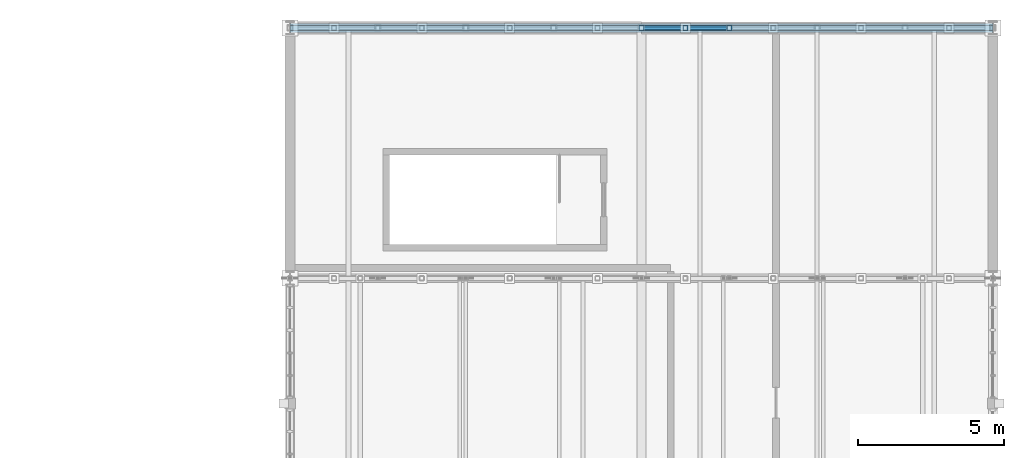
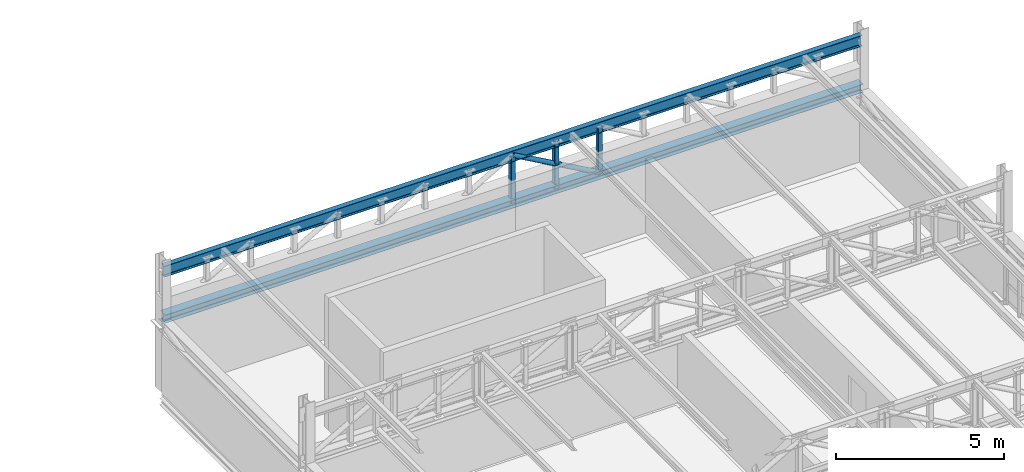
# One storey, part 57 of 128: 6 members.
"""IFC4 building model written with IfcOpenShell, lengths in metres."""

from ifc_helpers import new_model, si_unit, direction, frame, origin, origin_2d, place, context, subcontext, project, spatial, hollow_rectangle, hollow_circle, i_section, extrude, material, material_profile, profile_set, type_object, element, save


model = new_model("IFC4")

# Units and contexts
model_context = context("Model", 3, precision=1e-05, world=origin(), true_north=direction((0.0, 1.0)))
body_context = subcontext(model_context, "Body", "Model", "MODEL_VIEW")
ifc_project = project(units=[si_unit("LENGTHUNIT", "METRE"), si_unit("AREAUNIT", "SQUARE_METRE"), si_unit("VOLUMEUNIT", "CUBIC_METRE"), si_unit("PLANEANGLEUNIT", "RADIAN"), si_unit("MASSUNIT", "GRAM", prefix="KILO")], contexts=[model_context])

# Site, building, storey
site_placement = place(None, origin())
site = spatial("IfcSite", under=ifc_project, at=site_placement, CompositionType="ELEMENT")
building_placement = place(site_placement, origin())
building = spatial("IfcBuilding", under=site, at=building_placement, Name="Serraforn Aerial Cableway Station", CompositionType="ELEMENT")
storey_placement = place(building_placement, frame((0.0, 0.0, 9.0)))
storey = spatial("IfcBuildingStorey", under=building, at=storey_placement, Name="L02", CompositionType="ELEMENT", Elevation=9.0)

# Members
ifc_material = material(Name="Steel S355J2", Category="steel")
ifc_material_profile_1 = material_profile(ifc_material, i_section(OverallWidth=0.300048828125, OverallDepth=0.300048828125, WebThickness=0.008544921875, FlangeThickness=0.013916015625, FilletRadius=0.027099609375, at=origin_2d()), Name="HEA 300")
ifc_profile_set_1 = profile_set([ifc_material_profile_1], Name="Steel S355J2")
member_type_1 = type_object("IfcMemberType", Name="MEM-BC-HEA300", PredefinedType="CHORD", material=ifc_profile_set_1)
member_1_placement = place(storey_placement, frame((144.0, 114.0, 2.60009765625), z_axis=(1.0, 0.0, 0.0), x_axis=(0.0, 1.0, 0.0)))
element("IfcMember", 1, at=member_1_placement, inside=storey, type_object=member_type_1, Name="Garage Truss GT-12 Bottom Chord", PredefinedType="CHORD", context=body_context, shape_type="SweptSolid", body=[
    extrude(i_section(OverallWidth=0.300048828125, OverallDepth=0.300048828125, WebThickness=0.008544921875, FlangeThickness=0.013916015625, FilletRadius=0.027099609375, at=origin_2d()), origin(), (0.0, 0.0, 1.0), 24.0),
])
ifc_material_profile_2 = material_profile(ifc_material, hollow_circle(Radius=0.084228515625, WallThickness=0.008056640625, at=origin_2d()), Name="CHS 168.3x8.0")
ifc_profile_set_2 = profile_set([ifc_material_profile_2], Name="Steel S355J2")
member_type_2 = type_object("IfcMemberType", Name="MEM-DG-CHS168", PredefinedType="BRACE", material=ifc_profile_set_2)
member_2_placement = place(storey_placement, frame((156.0, 114.0, 4.2900390625), z_axis=(0.871272396707, 0.0, -0.490799766439), x_axis=(0.0, 1.0, 0.0)))
element("IfcMember", 2, at=member_2_placement, inside=storey, type_object=member_type_2, Name="Garage Truss GT-12 Diagonal 5", PredefinedType="BRACE", context=body_context, shape_type="SweptSolid", body=[
    extrude(hollow_circle(Radius=0.084228515625, WallThickness=0.008056640625, at=origin_2d()), origin(), (0.0, 0.0, 1.0), 3.443359375),
])
ifc_material_profile_3 = material_profile(ifc_material, i_section(OverallWidth=0.179931640625, OverallDepth=0.39990234375, WebThickness=0.008544921875, FlangeThickness=0.013427734375, FilletRadius=0.02099609375, at=origin_2d()), Name="IPE 400")
ifc_profile_set_3 = profile_set([ifc_material_profile_3], Name="Steel S355J2")
member_type_3 = type_object("IfcMemberType", Name="MEM-TC-IPE400", PredefinedType="CHORD", material=ifc_profile_set_3)
member_3_placement = place(storey_placement, frame((144.0, 114.0, 4.2900390625), z_axis=(1.0, 0.0, 0.0), x_axis=(0.0, 1.0, 0.0)))
element("IfcMember", 3, at=member_3_placement, inside=storey, type_object=member_type_3, Name="Garage Truss GT-12 Top Chord", PredefinedType="CHORD", context=body_context, shape_type="SweptSolid", body=[
    extrude(i_section(OverallWidth=0.179931640625, OverallDepth=0.39990234375, WebThickness=0.008544921875, FlangeThickness=0.013427734375, FilletRadius=0.02099609375, at=origin_2d()), origin(), (0.0, 0.0, 1.0), 24.0),
])
ifc_material_profile_4 = material_profile(ifc_material, hollow_rectangle(XDim=0.159912109375, YDim=0.159912109375, WallThickness=0.008056640625, InnerFilletRadius=0.008056640625, OuterFilletRadius=0.01611328125, at=origin_2d()), Name="SHS 160x160x8.0")
ifc_profile_set_4 = profile_set([ifc_material_profile_4], Name="Steel S355J2")
member_type_4 = type_object("IfcMemberType", Name="MEM-VP-SHS160", PredefinedType="STRUT", material=ifc_profile_set_4)
for number, where, z_axis, x_axis, name in (
    (4, (156.0, 114.0, 2.590087890625), (0.0, 0.0, 1.0), (1.0, 0.0, 0.0), "Garage Truss GT-12 Post 5"),
    (5, (159.0, 114.0, 2.590087890625), (0.0, 0.0, 1.0), (1.0, 0.0, 0.0), "Garage Truss GT-12 Post 6"),
    (6, (157.5, 114.0, 2.590087890625), (0.0, 0.0, 1.0), (1.0, 0.0, 0.0), "Garage Truss GT-12 Sub-Vertical 5"),
):
    element("IfcMember", number, at=place(storey_placement, frame(where, z_axis=z_axis, x_axis=x_axis)), inside=storey, type_object=member_type_4, Name=name, PredefinedType="STRUT", context=body_context, shape_type="SweptSolid", body=[
        extrude(hollow_rectangle(XDim=0.159912109375, YDim=0.159912109375, WallThickness=0.008056640625, InnerFilletRadius=0.008056640625, OuterFilletRadius=0.01611328125, at=origin_2d()), origin(), (0.0, 0.0, 1.0), 1.7099609375),
    ])

save(model, "model.ifc")
